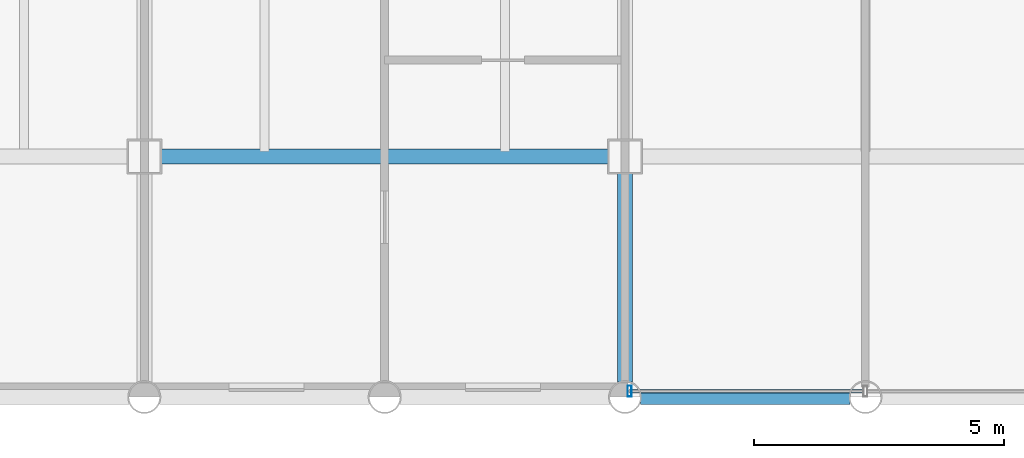
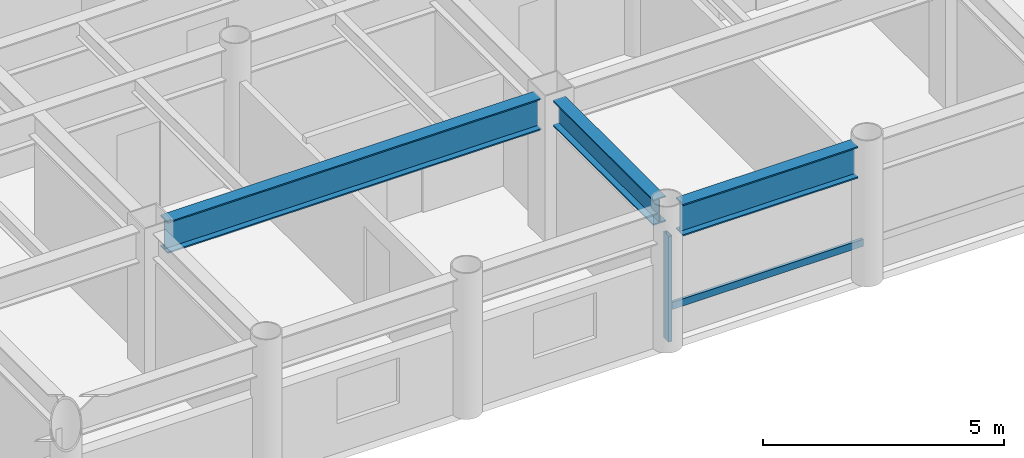
# One storey, part 2 of 20: 3 beams, 2 members, 1 element without a shape of its own.
"""IFC4 building model written with IfcOpenShell, lengths in metres."""

from ifc_helpers import new_model, si_unit, direction, frame, origin, origin_2d, place, context, subcontext, project, spatial, hollow_rectangle, i_section, extrude, material, layer, layer_set, material_profile, profile_set, type_object, element, aggregate, save


model = new_model("IFC4")

# Units and contexts
model_context = context("Model", 3, precision=1e-05, world=origin(), true_north=direction((0.0, 1.0)))
body_context = subcontext(model_context, "Body", "Model", "MODEL_VIEW")
ifc_project = project(units=[si_unit("LENGTHUNIT", "METRE"), si_unit("AREAUNIT", "SQUARE_METRE"), si_unit("VOLUMEUNIT", "CUBIC_METRE"), si_unit("PLANEANGLEUNIT", "RADIAN"), si_unit("MASSUNIT", "GRAM", prefix="KILO")], contexts=[model_context])

# Site, building, storey
site_placement = place(None, origin())
site = spatial("IfcSite", under=ifc_project, at=site_placement, CompositionType="ELEMENT")
building_placement = place(site_placement, origin())
building = spatial("IfcBuilding", under=site, at=building_placement, Name="Kallvorn Hotel Tower", CompositionType="ELEMENT")
storey_placement = place(building_placement, frame((0.0, 0.0, 135.89990234375)))
storey = spatial("IfcBuildingStorey", under=building, at=storey_placement, Name="L33", CompositionType="ELEMENT", Elevation=135.89990234375)

# Beams
ifc_material_1 = material(Name="Structural steel S355JR", Category="steel")
ifc_material_profile_1 = material_profile(ifc_material_1, i_section(OverallWidth=0.300048828125, OverallDepth=0.64990234375, WebThickness=0.01611328125, FlangeThickness=0.031005859375, at=origin_2d()), Name="HE 650 B")
ifc_profile_set_1 = profile_set([ifc_material_profile_1], Name="Structural steel S355JR")
beam_type_1 = type_object("IfcBeamType", Name="BM_HE650B", PredefinedType="BEAM", material=ifc_profile_set_1)
beam_1_placement = place(storey_placement, frame((-4.800048828125, -18.89501953125, 3.195068359375), z_axis=(0.0, 1.0, 0.0), x_axis=(-1.0, 0.0, 0.0)))
element("IfcBeam", 1, at=beam_1_placement, inside=storey, type_object=beam_type_1, Name="L34 Primary Y-Girder 106", PredefinedType="BEAM", context=body_context, shape_type="SweptSolid", body=[
    extrude(i_section(OverallWidth=0.300048828125, OverallDepth=0.64990234375, WebThickness=0.01611328125, FlangeThickness=0.031005859375, at=origin_2d()), origin(), (0.0, 0.0, 1.0), 4.169921875),
])
ifc_material_2 = material(Name="Structural steel S355JR", Category="steel")
ifc_material_profile_2 = material_profile(ifc_material_2, i_section(OverallWidth=0.300048828125, OverallDepth=0.800048828125, WebThickness=0.017578125, FlangeThickness=0.032958984375, at=origin_2d()), Name="HE 800 B")
ifc_profile_set_2 = profile_set([ifc_material_profile_2], Name="Structural steel S355JR")
beam_type_2 = type_object("IfcBeamType", Name="BM_HE800B", PredefinedType="BEAM", material=ifc_profile_set_2)
beam_2_placement = place(storey_placement, frame((-4.4951171875, -19.199951171875, 3.1201171875), z_axis=(1.0, 0.0, 0.0), x_axis=(0.0, 1.0, 0.0)))
element("IfcBeam", 2, at=beam_2_placement, inside=storey, type_object=beam_type_2, Name="L34 Primary X-Girder 06", PredefinedType="BEAM", context=body_context, shape_type="SweptSolid", body=[
    extrude(i_section(OverallWidth=0.300048828125, OverallDepth=0.800048828125, WebThickness=0.017578125, FlangeThickness=0.032958984375, at=origin_2d()), origin(), (0.0, 0.0, 1.0), 4.190185546875),
])
beam_3_placement = place(storey_placement, frame((-14.074951171875, -14.39990234375, 3.1201171875), z_axis=(1.0, 0.0, 0.0), x_axis=(0.0, 1.0, 0.0)))
element("IfcBeam", 3, at=beam_3_placement, inside=storey, type_object=beam_type_2, Name="L34 Primary X-Girder 17", PredefinedType="BEAM", context=body_context, shape_type="SweptSolid", body=[
    extrude(i_section(OverallWidth=0.300048828125, OverallDepth=0.800048828125, WebThickness=0.017578125, FlangeThickness=0.032958984375, at=origin_2d()), origin(), (0.0, 0.0, 1.0), 8.949951171875),
])

# Curtain wall, members
ifc_material_3 = material(Name="Thermally broken black-anodised aluminium AA 6063-T6", Category="aluminium")
ifc_layer = layer(ifc_material_3, 0.2099609375)
ifc_layer_set = layer_set([ifc_layer], Name="CW_SYS_4_HOTEL_MID")
curtain_wall_type = type_object("IfcCurtainWallType", Name="CW_SYS_4_HOTEL_MID", PredefinedType="USERDEFINED", material=ifc_layer_set)
curtain_wall_placement = place(storey_placement, origin())
curtain_wall = element("IfcCurtainWall", 4, at=curtain_wall_placement, inside=storey, type_object=curtain_wall_type, Name="L33 Dark-Glass Curtain Wall CW-L33-SC", ObjectType="UNITISED CURTAIN WALL", PredefinedType="USERDEFINED")
ifc_material_4 = material(Name="Thermally broken black-anodised aluminium AA 6063-T6", Category="aluminium")
ifc_material_profile_3 = material_profile(ifc_material_4, hollow_rectangle(XDim=0.080078125, YDim=0.219970703125, WallThickness=0.0048828125, at=origin_2d()), Name="MUL 220x80")
ifc_profile_set_3 = profile_set([ifc_material_profile_3], Name="Thermally broken black-anodised aluminium AA 6063-T6")
member_type_1 = type_object("IfcMemberType", Name="CW_MULLION_220x80", PredefinedType="MULLION", material=ifc_profile_set_3)
member_1_placement = place(storey_placement, frame((-4.7099609375, -19.080078125, 0.02001953125), z_axis=(0.0, 0.0, 1.0), x_axis=(1.0, 0.0, 0.0)))
member_1 = element("IfcMember", 5, at=member_1_placement, type_object=member_type_1, Name="CW-L33-SC Mullion 00", PredefinedType="MULLION", context=body_context, shape_type="SweptSolid", body=[
    extrude(hollow_rectangle(XDim=0.080078125, YDim=0.219970703125, WallThickness=0.0048828125, at=origin_2d()), origin(), (0.0, 0.0, 1.0), 2.68017578125),
])
ifc_material_5 = material(Name="Thermally broken black-anodised aluminium AA 6063-T6", Category="aluminium")
ifc_material_profile_4 = material_profile(ifc_material_5, hollow_rectangle(XDim=0.070068359375, YDim=0.179931640625, WallThickness=0.00390625, at=origin_2d()), Name="TRN 180x70")
ifc_profile_set_4 = profile_set([ifc_material_profile_4], Name="Thermally broken black-anodised aluminium AA 6063-T6")
member_type_2 = type_object("IfcMemberType", Name="CW_TRANSOM_180x70", PredefinedType="USERDEFINED", material=ifc_profile_set_4)
member_2_placement = place(storey_placement, frame((-4.7099609375, -19.080078125, 0.85009765625), z_axis=(1.0, 0.0, 0.0), x_axis=(0.0, 1.0, 0.0)))
member_2 = element("IfcMember", 6, at=member_2_placement, type_object=member_type_2, Name="CW-L33-SC Transom 00M", ObjectType="TRANSOM", PredefinedType="USERDEFINED", context=body_context, shape_type="SweptSolid", body=[
    extrude(hollow_rectangle(XDim=0.070068359375, YDim=0.179931640625, WallThickness=0.00390625, at=origin_2d()), origin(), (0.0, 0.0, 1.0), 4.669921875),
])
aggregate(curtain_wall, [member_1, member_2])

save(model, "model.ifc")
